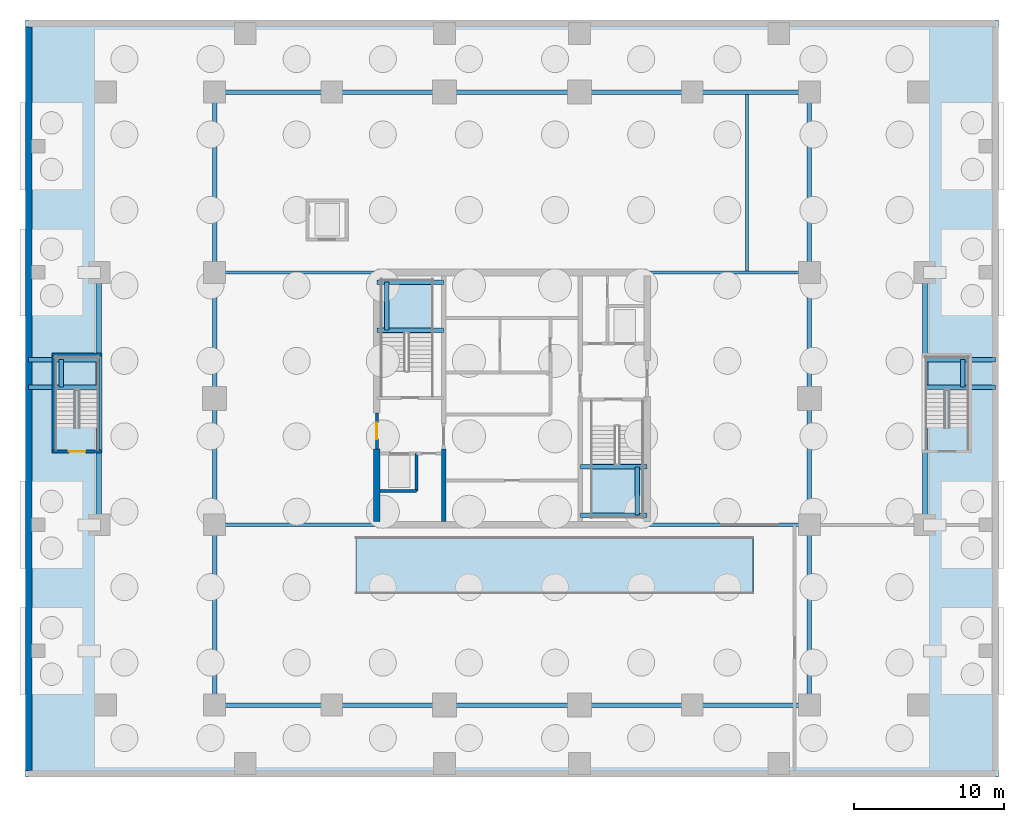
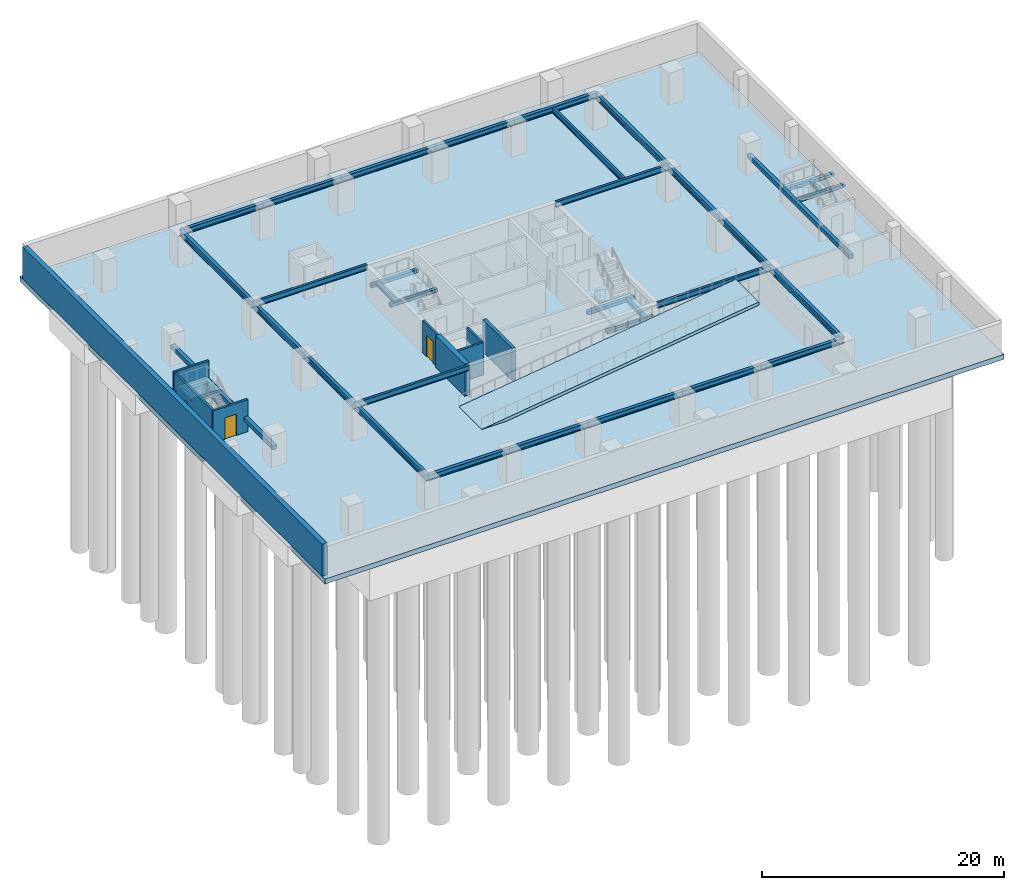
# One storey, part 2 of 12: 37 beams, 10 walls, 6 slabs, 2 doors, 2 openings, 4 elements without a shape of their own.
"""IFC4 building model written with IfcOpenShell, lengths in metres."""

from ifc_helpers import new_model, si_unit, direction, frame, frame_2d, origin, origin_2d, place, context, subcontext, project, spatial, polyline, rectangle, i_section, outline, extrude, source, transform, mapped, material, layer, layer_set, material_profile, profile_set, type_object, element, fill, aggregate, save


model = new_model("IFC4")

# Units and contexts
model_context = context("Model", 3, precision=1e-05, world=origin(), true_north=direction((0.0, 1.0)))
body_context = subcontext(model_context, "Body", "Model", "MODEL_VIEW")
ifc_project = project(units=[si_unit("LENGTHUNIT", "METRE"), si_unit("AREAUNIT", "SQUARE_METRE"), si_unit("VOLUMEUNIT", "CUBIC_METRE"), si_unit("PLANEANGLEUNIT", "RADIAN"), si_unit("MASSUNIT", "GRAM", prefix="KILO")], contexts=[model_context])

# Site, building, storey
site_placement = place(None, origin())
site = spatial("IfcSite", under=ifc_project, at=site_placement, CompositionType="ELEMENT")
building_placement = place(site_placement, origin())
building = spatial("IfcBuilding", under=site, at=building_placement, Name="Serunith Strait Residences", CompositionType="ELEMENT")
storey_placement = place(building_placement, frame((0.0, 0.0, -10.800048828125)))
storey = spatial("IfcBuildingStorey", under=building, at=storey_placement, Name="B03", CompositionType="ELEMENT", Elevation=-10.800048828125)

# Beams
ifc_material_1 = material(Name="Steel S355J2", Category="steel")
ifc_material_profile_1 = material_profile(ifc_material_1, i_section(OverallWidth=0.300048828125, OverallDepth=0.550048828125, WebThickness=0.014892578125, FlangeThickness=0.029052734375, FilletRadius=0.027099609375, at=origin_2d()), Name="HEB 550")
ifc_profile_set_1 = profile_set([ifc_material_profile_1], Name="Steel S355J2")
beam_type_1 = type_object("IfcBeamType", Name="BM-HEB550", PredefinedType="BEAM", material=ifc_profile_set_1)
shared_shape_1 = source(origin(), body_context, "Body", "SweptSolid", [
    extrude(i_section(OverallWidth=0.300048828125, OverallDepth=0.550048828125, WebThickness=0.014892578125, FlangeThickness=0.029052734375, FilletRadius=0.027099609375, at=origin_2d()), origin(), (0.0, 0.0, 1.0), 7.7998046875),
])
for number, where, z_axis, x_axis, name in (
    (1, (12.60009765625, 4.800048828125, 2.962158203125), (1.0, 0.0, 0.0), (0.0, 1.0, 0.0), "BM-B03-01"),
    (2, (12.60009765625, 45.60009765625, 2.962158203125), (1.0, 0.0, 0.0), (0.0, 1.0, 0.0), "BM-B03-06"),
):
    element("IfcBeam", number, at=place(storey_placement, frame(where, z_axis=z_axis, x_axis=x_axis)), inside=storey, type_object=beam_type_1, Name=name, PredefinedType="BEAM", context=body_context, shape_type="MappedRepresentation", body=[
        mapped(shared_shape_1, transform((0.0, 0.0, 0.0), scale=1.0)),
    ])
shared_shape_2 = source(origin(), body_context, "Body", "SweptSolid", [
    extrude(i_section(OverallWidth=0.300048828125, OverallDepth=0.550048828125, WebThickness=0.014892578125, FlangeThickness=0.029052734375, FilletRadius=0.027099609375, at=origin_2d()), origin(), (0.0, 0.0, 1.0), 7.5),
])
for number, where, z_axis, x_axis, name in (
    (3, (20.39990234375, 4.800048828125, 2.962158203125), (1.0, 0.0, 0.0), (0.0, 1.0, 0.0), "BM-B03-02"),
    (4, (36.89990234375, 4.800048828125, 2.962158203125), (1.0, 0.0, 0.0), (0.0, 1.0, 0.0), "BM-B03-04"),
    (5, (20.39990234375, 45.60009765625, 2.962158203125), (1.0, 0.0, 0.0), (0.0, 1.0, 0.0), "BM-B03-07"),
    (6, (36.89990234375, 45.60009765625, 2.962158203125), (1.0, 0.0, 0.0), (0.0, 1.0, 0.0), "BM-B03-09"),
):
    element("IfcBeam", number, at=place(storey_placement, frame(where, z_axis=z_axis, x_axis=x_axis)), inside=storey, type_object=beam_type_1, Name=name, PredefinedType="BEAM", context=body_context, shape_type="MappedRepresentation", body=[
        mapped(shared_shape_2, transform((0.0, 0.0, 0.0), scale=1.0)),
    ])
shared_shape_3 = source(origin(), body_context, "Body", "SweptSolid", [
    extrude(i_section(OverallWidth=0.300048828125, OverallDepth=0.550048828125, WebThickness=0.014892578125, FlangeThickness=0.029052734375, FilletRadius=0.027099609375, at=origin_2d()), origin(), (0.0, 0.0, 1.0), 9.0),
])
for number, where, z_axis, x_axis, name in (
    (7, (27.89990234375, 4.800048828125, 2.962158203125), (1.0, 0.0, 0.0), (0.0, 1.0, 0.0), "BM-B03-03"),
    (8, (27.89990234375, 45.60009765625, 2.962158203125), (1.0, 0.0, 0.0), (0.0, 1.0, 0.0), "BM-B03-08"),
):
    element("IfcBeam", number, at=place(storey_placement, frame(where, z_axis=z_axis, x_axis=x_axis)), inside=storey, type_object=beam_type_1, Name=name, PredefinedType="BEAM", context=body_context, shape_type="MappedRepresentation", body=[
        mapped(shared_shape_3, transform((0.0, 0.0, 0.0), scale=1.0)),
    ])
shared_shape_4 = source(origin(), body_context, "Body", "SweptSolid", [
    extrude(i_section(OverallWidth=0.300048828125, OverallDepth=0.550048828125, WebThickness=0.014892578125, FlangeThickness=0.029052734375, FilletRadius=0.027099609375, at=origin_2d()), origin(), (0.0, 0.0, 1.0), 7.800048828125),
])
for number, where, z_axis, x_axis, name in (
    (9, (44.39990234375, 4.800048828125, 2.962158203125), (1.0, 0.0, 0.0), (0.0, 1.0, 0.0), "BM-B03-05"),
    (10, (44.39990234375, 45.60009765625, 2.962158203125), (1.0, 0.0, 0.0), (0.0, 1.0, 0.0), "BM-B03-10"),
):
    element("IfcBeam", number, at=place(storey_placement, frame(where, z_axis=z_axis, x_axis=x_axis)), inside=storey, type_object=beam_type_1, Name=name, PredefinedType="BEAM", context=body_context, shape_type="MappedRepresentation", body=[
        mapped(shared_shape_4, transform((0.0, 0.0, 0.0), scale=1.0)),
    ])
ifc_material_profile_2 = material_profile(ifc_material_1, i_section(OverallWidth=0.300048828125, OverallDepth=0.60009765625, WebThickness=0.015380859375, FlangeThickness=0.030029296875, FilletRadius=0.027099609375, at=origin_2d()), Name="HEB 600")
ifc_profile_set_2 = profile_set([ifc_material_profile_2], Name="Steel S355J2")
beam_type_2 = type_object("IfcBeamType", Name="BM-HEB600", PredefinedType="BEAM", material=ifc_profile_set_2)
shared_shape_5 = source(origin(), body_context, "Body", "SweptSolid", [
    extrude(i_section(OverallWidth=0.300048828125, OverallDepth=0.60009765625, WebThickness=0.015380859375, FlangeThickness=0.030029296875, FilletRadius=0.027099609375, at=origin_2d()), origin(), (0.0, 0.0, 1.0), 12.0),
])
for number, where, z_axis, x_axis, name in (
    (11, (12.60009765625, 4.800048828125, 2.93701171875), (0.0, 1.0, 0.0), (-1.0, 0.0, 0.0), "BM-B03-11"),
    (12, (12.60009765625, 33.60009765625, 2.93701171875), (0.0, 1.0, 0.0), (-1.0, 0.0, 0.0), "BM-B03-14"),
    (13, (52.199951171875, 4.800048828125, 2.93701171875), (0.0, 1.0, 0.0), (-1.0, 0.0, 0.0), "BM-B03-15"),
    (14, (52.199951171875, 33.60009765625, 2.93701171875), (0.0, 1.0, 0.0), (-1.0, 0.0, 0.0), "BM-B03-18"),
):
    element("IfcBeam", number, at=place(storey_placement, frame(where, z_axis=z_axis, x_axis=x_axis)), inside=storey, type_object=beam_type_2, Name=name, PredefinedType="BEAM", context=body_context, shape_type="MappedRepresentation", body=[
        mapped(shared_shape_5, transform((0.0, 0.0, 0.0), scale=1.0)),
    ])
shared_shape_6 = source(origin(), body_context, "Body", "SweptSolid", [
    extrude(i_section(OverallWidth=0.300048828125, OverallDepth=0.60009765625, WebThickness=0.015380859375, FlangeThickness=0.030029296875, FilletRadius=0.027099609375, at=origin_2d()), origin(), (0.0, 0.0, 1.0), 8.39990234375),
])
for number, where, z_axis, x_axis, name in (
    (15, (12.60009765625, 16.800048828125, 2.93701171875), (0.0, 1.0, 0.0), (-1.0, 0.0, 0.0), "BM-B03-12"),
    (16, (52.199951171875, 16.800048828125, 2.93701171875), (0.0, 1.0, 0.0), (-1.0, 0.0, 0.0), "BM-B03-16"),
):
    element("IfcBeam", number, at=place(storey_placement, frame(where, z_axis=z_axis, x_axis=x_axis)), inside=storey, type_object=beam_type_2, Name=name, PredefinedType="BEAM", context=body_context, shape_type="MappedRepresentation", body=[
        mapped(shared_shape_6, transform((0.0, 0.0, 0.0), scale=1.0)),
    ])
shared_shape_7 = source(origin(), body_context, "Body", "SweptSolid", [
    extrude(i_section(OverallWidth=0.300048828125, OverallDepth=0.60009765625, WebThickness=0.015380859375, FlangeThickness=0.030029296875, FilletRadius=0.027099609375, at=origin_2d()), origin(), (0.0, 0.0, 1.0), 8.400146484375),
])
for number, where, z_axis, x_axis, name in (
    (17, (12.60009765625, 25.199951171875, 2.93701171875), (0.0, 1.0, 0.0), (-1.0, 0.0, 0.0), "BM-B03-13"),
    (18, (52.199951171875, 25.199951171875, 2.93701171875), (0.0, 1.0, 0.0), (-1.0, 0.0, 0.0), "BM-B03-17"),
):
    element("IfcBeam", number, at=place(storey_placement, frame(where, z_axis=z_axis, x_axis=x_axis)), inside=storey, type_object=beam_type_2, Name=name, PredefinedType="BEAM", context=body_context, shape_type="MappedRepresentation", body=[
        mapped(shared_shape_7, transform((0.0, 0.0, 0.0), scale=1.0)),
    ])
ifc_material_profile_3 = material_profile(ifc_material_1, i_section(OverallWidth=0.2099609375, OverallDepth=0.550048828125, WebThickness=0.010986328125, FlangeThickness=0.01708984375, FilletRadius=0.02392578125, at=origin_2d()), Name="IPE 550")
ifc_profile_set_3 = profile_set([ifc_material_profile_3], Name="Steel S355J2")
beam_type_3 = type_object("IfcBeamType", Name="BM-IPE550", PredefinedType="BEAM", material=ifc_profile_set_3)
shared_shape_8 = source(origin(), body_context, "Body", "SweptSolid", [
    extrude(i_section(OverallWidth=0.2099609375, OverallDepth=0.550048828125, WebThickness=0.010986328125, FlangeThickness=0.01708984375, FilletRadius=0.02392578125, at=origin_2d()), origin(), (0.0, 0.0, 1.0), 10.7998046875),
])
for number, where, z_axis, x_axis, name in (
    (19, (12.60009765625, 16.800048828125, 2.962158203125), (1.0, 0.0, 0.0), (0.0, 1.0, 0.0), "BM-B03-19"),
    (20, (12.60009765625, 33.60009765625, 2.962158203125), (1.0, 0.0, 0.0), (0.0, 1.0, 0.0), "BM-B03-21"),
):
    element("IfcBeam", number, at=place(storey_placement, frame(where, z_axis=z_axis, x_axis=x_axis)), inside=storey, type_object=beam_type_3, Name=name, PredefinedType="BEAM", context=body_context, shape_type="MappedRepresentation", body=[
        mapped(shared_shape_8, transform((0.0, 0.0, 0.0), scale=1.0)),
    ])
shared_shape_9 = source(origin(), body_context, "Body", "SweptSolid", [
    extrude(i_section(OverallWidth=0.2099609375, OverallDepth=0.550048828125, WebThickness=0.010986328125, FlangeThickness=0.01708984375, FilletRadius=0.02392578125, at=origin_2d()), origin(), (0.0, 0.0, 1.0), 10.800048828125),
])
for number, where, z_axis, x_axis, name in (
    (21, (41.39990234375, 16.800048828125, 2.962158203125), (1.0, 0.0, 0.0), (0.0, 1.0, 0.0), "BM-B03-20"),
    (22, (41.39990234375, 33.60009765625, 2.962158203125), (1.0, 0.0, 0.0), (0.0, 1.0, 0.0), "BM-B03-22"),
):
    element("IfcBeam", number, at=place(storey_placement, frame(where, z_axis=z_axis, x_axis=x_axis)), inside=storey, type_object=beam_type_3, Name=name, PredefinedType="BEAM", context=body_context, shape_type="MappedRepresentation", body=[
        mapped(shared_shape_9, transform((0.0, 0.0, 0.0), scale=1.0)),
    ])
shared_shape_10 = source(origin(), body_context, "Body", "SweptSolid", [
    extrude(i_section(OverallWidth=0.2099609375, OverallDepth=0.550048828125, WebThickness=0.010986328125, FlangeThickness=0.01708984375, FilletRadius=0.02392578125, at=origin_2d()), origin(), (0.0, 0.0, 1.0), 12.0),
])
beam_placement = place(storey_placement, frame((48.050048828125, 33.60009765625, 2.962158203125), z_axis=(0.0, 1.0, 0.0), x_axis=(-1.0, 0.0, 0.0)))
element("IfcBeam", 23, at=beam_placement, inside=storey, type_object=beam_type_3, Name="BM-B03-23", PredefinedType="BEAM", context=body_context, shape_type="MappedRepresentation", body=[
    mapped(shared_shape_10, transform((0.0, 0.0, 0.0), scale=1.0)),
])
ifc_material_2 = material(Name="Concrete C60/75", Category="concrete")
ifc_material_profile_4 = material_profile(ifc_material_2, rectangle(XDim=0.300048828125, YDim=0.300048828125, at=origin_2d()), Name="RC 300x300")
ifc_profile_set_4 = profile_set([ifc_material_profile_4], Name="Concrete C60/75")
beam_type_4 = type_object("IfcBeamType", Name="BM-LAND-300x300", PredefinedType="BEAM", material=ifc_profile_set_4)
shared_shape_11 = source(origin(), body_context, "Body", "SweptSolid", [
    extrude(rectangle(XDim=0.300048828125, YDim=0.300048828125, at=origin_2d()), origin(), (0.0, 0.0, 1.0), 4.4501953125),
])
for number, where, z_axis, x_axis, name in (
    (24, (23.39990234375, 29.75, 1.449951171875), (1.0, 0.0, 0.0), (0.0, 1.0, 0.0), "B03 ST-1 Landing Support Beam 1"),
    (25, (23.39990234375, 32.949951171875, 1.449951171875), (1.0, 0.0, 0.0), (0.0, 1.0, 0.0), "B03 ST-1 Landing Support Beam 2"),
):
    element("IfcBeam", number, at=place(storey_placement, frame(where, z_axis=z_axis, x_axis=x_axis)), inside=storey, type_object=beam_type_4, Name=name, PredefinedType="BEAM", context=body_context, shape_type="MappedRepresentation", body=[
        mapped(shared_shape_11, transform((0.0, 0.0, 0.0), scale=1.0)),
    ])
shared_shape_12 = source(origin(), body_context, "Body", "SweptSolid", [
    extrude(rectangle(XDim=0.300048828125, YDim=0.300048828125, at=origin_2d()), origin(), (0.0, 0.0, 1.0), 3.199951171875),
])
for number, where, z_axis, x_axis, name in (
    (26, (24.050048828125, 29.75, 1.449951171875), (0.0, 1.0, 0.0), (-1.0, 0.0, 0.0), "B03 ST-1 Landing Transverse Tie Beam"),
    (27, (40.75, 17.449951171875, 1.449951171875), (0.0, 1.0, 0.0), (-1.0, 0.0, 0.0), "B03 ST-2 Landing Transverse Tie Beam"),
):
    element("IfcBeam", number, at=place(storey_placement, frame(where, z_axis=z_axis, x_axis=x_axis)), inside=storey, type_object=beam_type_4, Name=name, PredefinedType="BEAM", context=body_context, shape_type="MappedRepresentation", body=[
        mapped(shared_shape_12, transform((0.0, 0.0, 0.0), scale=1.0)),
    ])
shared_shape_13 = source(origin(), body_context, "Body", "SweptSolid", [
    extrude(rectangle(XDim=0.300048828125, YDim=0.300048828125, at=origin_2d()), origin(), (0.0, 0.0, 1.0), 4.449951171875),
])
for number, where, z_axis, x_axis, name in (
    (28, (36.949951171875, 17.449951171875, 1.449951171875), (1.0, 0.0, 0.0), (0.0, 1.0, 0.0), "B03 ST-2 Landing Support Beam 1"),
    (29, (36.949951171875, 20.64990234375, 1.449951171875), (1.0, 0.0, 0.0), (0.0, 1.0, 0.0), "B03 ST-2 Landing Support Beam 2"),
):
    element("IfcBeam", number, at=place(storey_placement, frame(where, z_axis=z_axis, x_axis=x_axis)), inside=storey, type_object=beam_type_4, Name=name, PredefinedType="BEAM", context=body_context, shape_type="MappedRepresentation", body=[
        mapped(shared_shape_13, transform((0.0, 0.0, 0.0), scale=1.0)),
    ])
ifc_material_profile_5 = material_profile(ifc_material_2, rectangle(XDim=0.35009765625, YDim=0.39990234375, at=origin_2d()), Name="RC 350x400")
ifc_profile_set_5 = profile_set([ifc_material_profile_5], Name="Concrete C60/75")
beam_type_5 = type_object("IfcBeamType", Name="BM-LAND-350x400", PredefinedType="BEAM", material=ifc_profile_set_5)
shared_shape_14 = source(origin(), body_context, "Body", "SweptSolid", [
    extrude(rectangle(XDim=0.35009765625, YDim=0.39990234375, at=origin_2d()), origin(), (0.0, 0.0, 1.0), 16.800048828125),
])
for number, where, z_axis, x_axis, name in (
    (30, (4.89990234375, 16.800048828125, 1.400146484375), (0.0, 1.0, 0.0), (-1.0, 0.0, 0.0), "B03 ST-5 Landing Trimmer Girder"),
    (31, (59.89990234375, 16.800048828125, 1.400146484375), (0.0, 1.0, 0.0), (-1.0, 0.0, 0.0), "B03 ST-6 Landing Trimmer Girder"),
):
    element("IfcBeam", number, at=place(storey_placement, frame(where, z_axis=z_axis, x_axis=x_axis)), inside=storey, type_object=beam_type_5, Name=name, PredefinedType="BEAM", context=body_context, shape_type="MappedRepresentation", body=[
        mapped(shared_shape_14, transform((0.0, 0.0, 0.0), scale=1.0)),
    ])
shared_shape_15 = source(origin(), body_context, "Body", "SweptSolid", [
    extrude(rectangle(XDim=0.300048828125, YDim=0.300048828125, at=origin_2d()), origin(), (0.0, 0.0, 1.0), 4.6748046875),
])
for number, where, z_axis, x_axis, name in (
    (32, (0.22509765625, 25.969970703125, 1.449951171875), (1.0, 0.0, 0.0), (0.0, 1.0, 0.0), "B03 ST-5 Landing Support Beam 1"),
    (33, (0.22509765625, 27.800048828125, 1.449951171875), (1.0, 0.0, 0.0), (0.0, 1.0, 0.0), "B03 ST-5 Landing Support Beam 2"),
):
    element("IfcBeam", number, at=place(storey_placement, frame(where, z_axis=z_axis, x_axis=x_axis)), inside=storey, type_object=beam_type_4, Name=name, PredefinedType="BEAM", context=body_context, shape_type="MappedRepresentation", body=[
        mapped(shared_shape_15, transform((0.0, 0.0, 0.0), scale=1.0)),
    ])
shared_shape_16 = source(origin(), body_context, "Body", "SweptSolid", [
    extrude(rectangle(XDim=0.300048828125, YDim=0.300048828125, at=origin_2d()), origin(), (0.0, 0.0, 1.0), 1.830078125),
])
for number, where, z_axis, x_axis, name in (
    (34, (2.39990234375, 25.969970703125, 1.449951171875), (0.0, 1.0, 0.0), (-1.0, 0.0, 0.0), "B03 ST-5 Landing Transverse Tie Beam"),
    (35, (62.39990234375, 25.969970703125, 1.449951171875), (0.0, 1.0, 0.0), (-1.0, 0.0, 0.0), "B03 ST-6 Landing Transverse Tie Beam"),
):
    element("IfcBeam", number, at=place(storey_placement, frame(where, z_axis=z_axis, x_axis=x_axis)), inside=storey, type_object=beam_type_4, Name=name, PredefinedType="BEAM", context=body_context, shape_type="MappedRepresentation", body=[
        mapped(shared_shape_16, transform((0.0, 0.0, 0.0), scale=1.0)),
    ])
shared_shape_17 = source(origin(), body_context, "Body", "SweptSolid", [
    extrude(rectangle(XDim=0.300048828125, YDim=0.300048828125, at=origin_2d()), origin(), (0.0, 0.0, 1.0), 4.675048828125),
])
for number, where, z_axis, x_axis, name in (
    (36, (59.89990234375, 25.969970703125, 1.449951171875), (1.0, 0.0, 0.0), (0.0, 1.0, 0.0), "B03 ST-6 Landing Support Beam 1"),
    (37, (59.89990234375, 27.800048828125, 1.449951171875), (1.0, 0.0, 0.0), (0.0, 1.0, 0.0), "B03 ST-6 Landing Support Beam 2"),
):
    element("IfcBeam", number, at=place(storey_placement, frame(where, z_axis=z_axis, x_axis=x_axis)), inside=storey, type_object=beam_type_4, Name=name, PredefinedType="BEAM", context=body_context, shape_type="MappedRepresentation", body=[
        mapped(shared_shape_17, transform((0.0, 0.0, 0.0), scale=1.0)),
    ])

# Slab
ifc_material_3 = material(Name="Concrete C50/60", Category="concrete")
ifc_layer_1 = layer(ifc_material_3, 0.5, Name="Concrete C50/60")
ifc_layer_set_1 = layer_set([ifc_layer_1], Name="Concrete C50/60")
slab_type_1 = type_object("IfcSlabType", Name="SLB-BASE-500", PredefinedType="BASESLAB", material=ifc_layer_set_1)
slab_1_placement = place(storey_placement, frame((0.0, 0.0, -0.5)))
element("IfcSlab", 38, at=slab_1_placement, inside=storey, type_object=slab_type_1, Name="B03 Structural Floor Plate", PredefinedType="BASESLAB", context=body_context, shape_type="SweptSolid", body=[
    extrude(outline(polyline([(0.0, 50.39990234375), (64.800048828125, 50.39990234375), (64.800048828125, 0.0), (0.0, 0.0), (0.0, 50.39990234375)]), holes=[polyline([(24.42724609375, 12.199951171875), (24.42724609375, 16.0), (22.0, 16.0), (22.0, 12.199951171875), (24.42724609375, 12.199951171875)])]), origin(), (0.0, 0.0, 1.0), 0.5),
])

# Stair, slab
stair_type_1 = type_object("IfcStairType", Name="STR-CORE-1", PredefinedType="HALF_TURN_STAIR", material=ifc_material_3)
stair_1_placement = place(storey_placement, origin())
stair_1 = element("IfcStair", 39, at=stair_1_placement, inside=storey, type_object=stair_type_1, Name="B03 Protected Escape Stair ST-1", PredefinedType="HALF_TURN_STAIR")
ifc_layer_2 = layer(ifc_material_3, 0.199951171875, Name="Concrete C50/60")
ifc_layer_set_2 = layer_set([ifc_layer_2], Name="Concrete C50/60")
slab_type_2 = type_object("IfcSlabType", Name="SLB-LAND-200", PredefinedType="LANDING", material=ifc_layer_set_2)
slab_2_placement = place(storey_placement, frame((0.0, 0.0, 1.60009765625)))
slab_2 = element("IfcSlab", 40, at=slab_2_placement, type_object=slab_type_2, Name="ST-1 landing 1", PredefinedType="LANDING", context=body_context, shape_type="SweptSolid", body=[
    extrude(outline(polyline([(27.14990234375, 29.550048828125), (27.14990234375, 33.14990234375), (23.64990234375, 33.14990234375), (23.64990234375, 29.550048828125), (27.14990234375, 29.550048828125)])), origin(), (0.0, 0.0, 1.0), 0.199951171875),
])
aggregate(stair_1, [slab_2])

stair_type_2 = type_object("IfcStairType", Name="STR-CORE-2", PredefinedType="HALF_TURN_STAIR", material=ifc_material_3)
stair_2_placement = place(storey_placement, origin())
stair_2 = element("IfcStair", 41, at=stair_2_placement, inside=storey, type_object=stair_type_2, Name="B03 Protected Escape Stair ST-2", PredefinedType="HALF_TURN_STAIR")
slab_3_placement = place(storey_placement, frame((0.0, 0.0, 1.60009765625)))
slab_3 = element("IfcSlab", 42, at=slab_3_placement, type_object=slab_type_2, Name="ST-2 landing 1", PredefinedType="LANDING", context=body_context, shape_type="SweptSolid", body=[
    extrude(outline(polyline([(37.64990234375, 20.85009765625), (37.64990234375, 17.25), (41.14990234375, 17.25), (41.14990234375, 20.85009765625), (37.64990234375, 20.85009765625)])), origin(), (0.0, 0.0, 1.0), 0.199951171875),
])
aggregate(stair_2, [slab_3])

stair_type_3 = type_object("IfcStairType", Name="STR-BSMT-5", PredefinedType="HALF_TURN_STAIR", material=ifc_material_3)
stair_3_placement = place(storey_placement, origin())
stair_3 = element("IfcStair", 43, at=stair_3_placement, inside=storey, type_object=stair_type_3, Name="B03 Basement Escape Stair ST-5", PredefinedType="HALF_TURN_STAIR")
slab_4_placement = place(storey_placement, frame((0.0, 0.0, 1.60009765625)))
slab_4 = element("IfcSlab", 44, at=slab_4_placement, type_object=slab_type_2, Name="ST-5 landing 1", PredefinedType="LANDING", context=body_context, shape_type="SweptSolid", body=[
    extrude(outline(polyline([(4.89990234375, 25.77001953125), (4.89990234375, 28.0), (2.0, 28.0), (2.0, 25.77001953125), (4.89990234375, 25.77001953125)])), origin(), (0.0, 0.0, 1.0), 0.199951171875),
])
aggregate(stair_3, [slab_4])

stair_type_4 = type_object("IfcStairType", Name="STR-BSMT-6", PredefinedType="HALF_TURN_STAIR", material=ifc_material_3)
stair_4_placement = place(storey_placement, origin())
stair_4 = element("IfcStair", 45, at=stair_4_placement, inside=storey, type_object=stair_type_4, Name="B03 Basement Escape Stair ST-6", PredefinedType="HALF_TURN_STAIR")
slab_5_placement = place(storey_placement, frame((0.0, 0.0, 1.60009765625)))
slab_5 = element("IfcSlab", 46, at=slab_5_placement, type_object=slab_type_2, Name="ST-6 landing 1", PredefinedType="LANDING", context=body_context, shape_type="SweptSolid", body=[
    extrude(outline(polyline([(62.800048828125, 25.77001953125), (62.800048828125, 28.0), (59.89990234375, 28.0), (59.89990234375, 25.77001953125), (62.800048828125, 25.77001953125)])), origin(), (0.0, 0.0, 1.0), 0.199951171875),
])
aggregate(stair_4, [slab_5])

# Slab
ifc_layer_3 = layer(ifc_material_3, 0.320068359375, Name="Concrete C50/60")
ifc_layer_set_3 = layer_set([ifc_layer_3], Name="Concrete C50/60")
slab_type_3 = type_object("IfcSlabType", Name="SLB-RAMP-320", PredefinedType="FLOOR", material=ifc_layer_set_3)
slab_6_placement = place(storey_placement, frame((22.0048828125, 12.199951171875, 0.0), z_axis=(-0.134915184294, 0.0, 0.990857150677), x_axis=(0.990857150677, 0.0, 0.134915184294)))
element("IfcSlab", 47, at=slab_6_placement, inside=storey, type_object=slab_type_3, Name="Car Park Two-Way Structural Vehicle Ramp Slab B03 to B02", PredefinedType="FLOOR", context=body_context, shape_type="SweptSolid", body=[
    extrude(outline(polyline([(0.0, 0.0), (26.684154753106093, 0.0), (26.684154753106093, 3.8000488281249996), (0.0, 3.8000488281249996), (0.0, 0.0)])), origin(), (0.0, 0.0, -1.0), 0.320068359375),
])

# Wall, opening, door
ifc_material_4 = material(Name="Autoclaved aerated concrete blockwork", Category="masonry")
ifc_layer_4 = layer(ifc_material_4, 0.199951171875, Name="Autoclaved aerated concrete blockwork")
ifc_layer_set_4 = layer_set([ifc_layer_4], Name="Autoclaved aerated concrete blockwork")
wall_type_1 = type_object("IfcWallType", Name="IW-SHAFT-200", PredefinedType="STANDARD", material=ifc_layer_set_4)
wall_1_placement = place(storey_placement, frame((1.780029296875, 21.679931640625, 0.0), z_axis=(0.0, 0.0, 1.0), x_axis=(1.0, 0.0, 0.0)))
wall_1 = element("IfcWall", 48, at=wall_1_placement, inside=storey, type_object=wall_type_1, Name="B03 ST-5 South Shaft Wall", PredefinedType="STANDARD", context=body_context, shape_type="SweptSolid", body=[
    extrude(rectangle(XDim=3.340087890625, YDim=0.199951171875, at=frame_2d((1.669921875, 0.0))), origin(), (0.0, 0.0, 1.0), 3.239990234375),
])
opening_1_placement = place(wall_1_placement, frame((1.1201171875, 0.0, 0.0)))
opening_1 = element("IfcOpeningElement", 49, at=opening_1_placement, cuts=wall_1, Name="Opening FD-1100", PredefinedType="OPENING", context=body_context, shape_type="SweptSolid", body=[
    extrude(rectangle(XDim=1.10009765625, YDim=2.14990234375, at=frame_2d((0.550048828125, 1.074951171875))), frame((0.0, 0.10986328125, 0.0), z_axis=(0.0, -1.0, 0.0), x_axis=(1.0, 0.0, 0.0)), (0.0, 0.0, 1.0), 0.219970703125),
])
ifc_material_5 = material(Name="Galvanised steel fire door leaf", Category="steel")
door_type_1 = type_object("IfcDoorType", Name="FD-STAIR-1100", OperationType="NOTDEFINED", PredefinedType="DOOR", material=ifc_material_5)
shared_shape_18 = source(origin(), body_context, "Body", "SweptSolid", [
    extrude(rectangle(XDim=1.10009765625, YDim=2.14990234375, at=frame_2d((0.550048828125, 1.074951171875))), frame((0.0, 0.02490234375, 0.0), z_axis=(0.0, -1.0, 0.0), x_axis=(1.0, 0.0, 0.0)), (0.0, 0.0, 1.0), 0.050048828125),
])
door_1_placement = place(opening_1_placement, origin())
door_1 = element("IfcDoor", 50, at=door_1_placement, inside=storey, type_object=door_type_1, Name="B03 ST-5 Escape Stair Door", OperationType="SINGLE_SWING_RIGHT", OverallHeight=2.14990234375, OverallWidth=1.10009765625, PredefinedType="DOOR", context=body_context, shape_type="MappedRepresentation", body=[
    mapped(shared_shape_18, transform((0.0, 0.0, 0.0), scale=1.0)),
])
fill(opening_1, door_1)

# Walls
wall_2_placement = place(storey_placement, frame((1.780029296875, 28.1201171875, 0.0), z_axis=(0.0, 0.0, 1.0), x_axis=(1.0, 0.0, 0.0)))
element("IfcWall", 51, at=wall_2_placement, inside=storey, type_object=wall_type_1, Name="B03 ST-5 North Shaft Wall", PredefinedType="STANDARD", context=body_context, shape_type="SweptSolid", body=[
    extrude(rectangle(XDim=3.340087890625, YDim=0.199951171875, at=frame_2d((1.669921875, 0.0))), origin(), (0.0, 0.0, 1.0), 3.239990234375),
])
wall_3_placement = place(storey_placement, frame((1.8798828125, 21.780029296875, 0.0), z_axis=(0.0, 0.0, 1.0), x_axis=(0.0, 1.0, 0.0)))
element("IfcWall", 52, at=wall_3_placement, inside=storey, type_object=wall_type_1, Name="B03 ST-5 West Shaft Wall", PredefinedType="STANDARD", context=body_context, shape_type="SweptSolid", body=[
    extrude(rectangle(XDim=6.239990234375, YDim=0.199951171875, at=frame_2d((3.1201171875, 0.0))), origin(), (0.0, 0.0, 1.0), 3.239990234375),
])
wall_4_placement = place(storey_placement, frame((5.02001953125, 21.780029296875, 0.0), z_axis=(0.0, 0.0, 1.0), x_axis=(0.0, 1.0, 0.0)))
element("IfcWall", 53, at=wall_4_placement, inside=storey, type_object=wall_type_1, Name="B03 ST-5 East Shaft Wall", PredefinedType="STANDARD", context=body_context, shape_type="SweptSolid", body=[
    extrude(rectangle(XDim=6.239990234375, YDim=0.199951171875, at=frame_2d((3.1201171875, 0.0))), origin(), (0.0, 0.0, 1.0), 1.18505859375),
])
wall_5_placement = place(storey_placement, frame((26.050048828125, 19.050048828125, 0.0), z_axis=(0.0, 0.0, 1.0), x_axis=(0.0, 1.0, 0.0)))
element("IfcWall", 54, at=wall_5_placement, inside=storey, type_object=wall_type_1, Name="B03 Partition Wall 001", PredefinedType="STANDARD", context=body_context, shape_type="SweptSolid", body=[
    extrude(rectangle(XDim=2.5, YDim=0.199951171875, at=frame_2d((1.25, 0.0))), origin(), (0.0, 0.0, 1.0), 3.239990234375),
])
wall_6_placement = place(storey_placement, frame((23.625, 19.050048828125, 0.0), z_axis=(0.0, 0.0, 1.0), x_axis=(1.0, 0.0, 0.0)))
element("IfcWall", 55, at=wall_6_placement, inside=storey, type_object=wall_type_1, Name="B03 Partition Wall 002", PredefinedType="STANDARD", context=body_context, shape_type="SweptSolid", body=[
    extrude(rectangle(XDim=2.425048828125, YDim=0.199951171875, at=frame_2d((1.21240234375, 0.0))), origin(), (0.0, 0.0, 1.0), 3.239990234375),
])

# Wall, opening, door
wall_7_placement = place(storey_placement, frame((23.39990234375, 21.85205078125, 0.0), z_axis=(0.0, 0.0, 1.0), x_axis=(0.0, 1.0, 0.0)))
wall_7 = element("IfcWall", 56, at=wall_7_placement, inside=storey, type_object=wall_type_1, Name="B03 Partition Wall 007", PredefinedType="STANDARD", context=body_context, shape_type="SweptSolid", body=[
    extrude(rectangle(XDim=2.39599609375, YDim=0.199951171875, at=frame_2d((1.197998046875, 0.0))), origin(), (0.0, 0.0, 1.0), 3.239990234375),
])
opening_2_placement = place(wall_7_placement, frame((0.64794921875, 0.0, 0.0)))
opening_2 = element("IfcOpeningElement", 57, at=opening_2_placement, cuts=wall_7, Name="Opening FD-FFL", PredefinedType="OPENING", context=body_context, shape_type="SweptSolid", body=[
    extrude(rectangle(XDim=1.10009765625, YDim=2.14990234375, at=frame_2d((0.550048828125, 1.074951171875))), frame((0.0, 0.10986328125, 0.0), z_axis=(0.0, -1.0, 0.0), x_axis=(1.0, 0.0, 0.0)), (0.0, 0.0, 1.0), 0.219970703125),
])
ifc_material_6 = material(Name="Glazed steel smoke-lobby fire door", Category="steel")
door_type_2 = type_object("IfcDoorType", Name="FD-FFL-1100", OperationType="NOTDEFINED", PredefinedType="DOOR", material=ifc_material_6)
door_2_placement = place(opening_2_placement, origin())
door_2 = element("IfcDoor", 58, at=door_2_placement, inside=storey, type_object=door_type_2, Name="B03 FFL-1 Corridor Fire Door", OperationType="SINGLE_SWING_RIGHT", OverallHeight=2.14990234375, OverallWidth=1.10009765625, PredefinedType="DOOR", context=body_context, shape_type="MappedRepresentation", body=[
    mapped(shared_shape_18, transform((0.0, 0.0, 0.0), scale=1.0)),
])
fill(opening_2, door_2)

# Walls
ifc_layer_5 = layer(ifc_material_3, 0.449951171875, Name="Concrete C50/60")
ifc_layer_set_5 = layer_set([ifc_layer_5], Name="Concrete C50/60")
wall_type_2 = type_object("IfcWallType", Name="RW-450-C50", PredefinedType="USERDEFINED", material=ifc_layer_set_5)
wall_8_placement = place(storey_placement, frame((0.22509765625, 49.949951171875, 0.0), z_axis=(0.0, 0.0, 1.0), x_axis=(0.0, -1.0, 0.0)))
element("IfcWall", 59, at=wall_8_placement, inside=storey, type_object=wall_type_2, Name="B03 West Diaphragm Wall", ObjectType="RETAININGWALL", PredefinedType="USERDEFINED", context=body_context, shape_type="SweptSolid", body=[
    extrude(rectangle(XDim=49.5, YDim=0.449951171875, at=frame_2d((24.75, 0.0))), origin(), (0.0, 0.0, 1.0), 3.238037109375),
])
ifc_material_7 = material(Name="Concrete C80/95", Category="concrete")
ifc_layer_6 = layer(ifc_material_7, 0.300048828125, Name="Concrete C80/95")
ifc_layer_set_6 = layer_set([ifc_layer_6], Name="Concrete C80/95")
wall_type_3 = type_object("IfcWallType", Name="SW-300-C80", PredefinedType="SHEAR", material=ifc_layer_set_6)
wall_9_placement = place(storey_placement, frame((27.85009765625, 17.02490234375, 0.0), z_axis=(0.0, 0.0, 1.0), x_axis=(0.0, 1.0, 0.0)))
element("IfcWall", 60, at=wall_9_placement, inside=storey, type_object=wall_type_3, Name="B03 Core Internal West Web South Pier", PredefinedType="SHEAR", context=body_context, shape_type="SweptSolid", body=[
    extrude(rectangle(XDim=4.8251953125, YDim=0.300048828125, at=frame_2d((2.41259765625, 0.0))), origin(), (0.0, 0.0, 1.0), 3.238037109375),
])
ifc_layer_7 = layer(ifc_material_7, 0.449951171875, Name="Concrete C80/95")
ifc_layer_set_7 = layer_set([ifc_layer_7], Name="Concrete C80/95")
wall_type_4 = type_object("IfcWallType", Name="SW-450-C80", PredefinedType="SHEAR", material=ifc_layer_set_7)
wall_10_placement = place(storey_placement, frame((23.39990234375, 17.02490234375, 0.0), z_axis=(0.0, 0.0, 1.0), x_axis=(0.0, 1.0, 0.0)))
element("IfcWall", 61, at=wall_10_placement, inside=storey, type_object=wall_type_4, Name="B03 Core West Shear Wall South Pier", PredefinedType="SHEAR", context=body_context, shape_type="SweptSolid", body=[
    extrude(rectangle(XDim=4.8251953125, YDim=0.449951171875, at=frame_2d((2.41259765625, 0.0))), origin(), (0.0, 0.0, 1.0), 3.238037109375),
])

save(model, "model.ifc")
